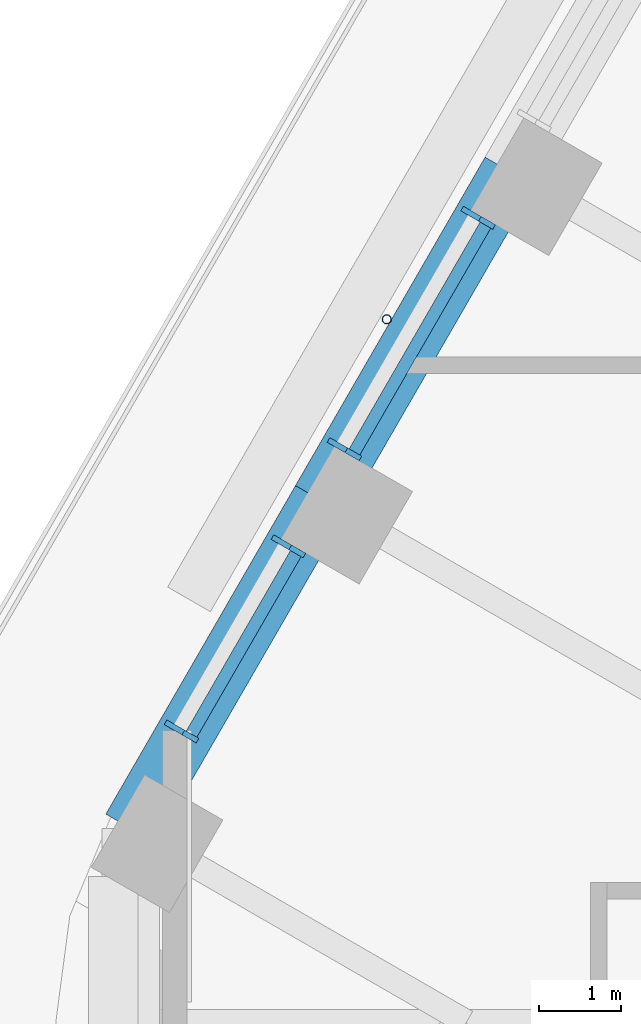
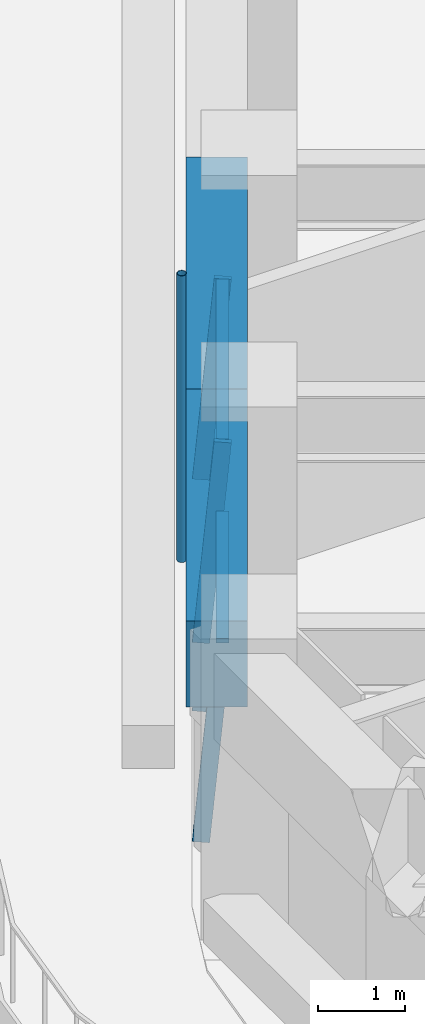
# One storey, part 6 of 20: 7 members, 2 beams, 2 elements without a shape of their own.
"""IFC4 building model written with IfcOpenShell, lengths in metres."""

from ifc_helpers import new_model, si_unit, direction, frame, origin, origin_2d, place, context, subcontext, project, spatial, rectangle, hollow_circle, extrude, material, material_profile, profile_set, type_object, element, aggregate, save


model = new_model("IFC4")

# Units and contexts
model_context = context("Model", 3, precision=1e-05, world=origin(), true_north=direction((0.0, 1.0)))
body_context = subcontext(model_context, "Body", "Model", "MODEL_VIEW")
ifc_project = project(units=[si_unit("LENGTHUNIT", "METRE"), si_unit("AREAUNIT", "SQUARE_METRE"), si_unit("VOLUMEUNIT", "CUBIC_METRE"), si_unit("PLANEANGLEUNIT", "RADIAN"), si_unit("MASSUNIT", "GRAM", prefix="KILO")], contexts=[model_context])

# Site, building, storey
site_placement = place(None, origin())
site = spatial("IfcSite", under=ifc_project, at=site_placement, CompositionType="ELEMENT")
building_placement = place(site_placement, origin())
building = spatial("IfcBuilding", under=site, at=building_placement, Name="Tarfa Lantern Tower", CompositionType="ELEMENT")
storey_placement = place(building_placement, frame((0.0, 0.0, 244.89990234375)))
storey = spatial("IfcBuildingStorey", under=building, at=storey_placement, Name="L55", CompositionType="ELEMENT", Elevation=244.89990234375)

# Curtain wall, members
ifc_material_1 = material(Name="Aluminium framed curtain wall", Category="aluminium")
curtain_wall_type = type_object("IfcCurtainWallType", Name="CW3 CANTED GLAZING HIGH ZONE 2800", PredefinedType="USERDEFINED", material=ifc_material_1)
curtain_wall_1_placement = place(storey_placement, origin())
curtain_wall_1 = element("IfcCurtainWall", 1, at=curtain_wall_1_placement, inside=storey, type_object=curtain_wall_type, Name="CW3 NW L55", ObjectType="CURTAIN WALL", PredefinedType="USERDEFINED")
ifc_material_2 = material(Name="Aluminium mullion", Category="aluminium")
ifc_material_profile_1 = material_profile(ifc_material_2, rectangle(XDim=0.06494140625, YDim=0.199951171875, at=origin_2d()), Name="AL MULLION 65x200")
ifc_profile_set_1 = profile_set([ifc_material_profile_1], Name="Aluminium mullion")
member_type_1 = type_object("IfcMemberType", Name="CWM1 MULLION 65x200", PredefinedType="MULLION", material=ifc_profile_set_1)
member_1_placement = place(storey_placement, frame((-27.6787109375, 9.85888671875, 0.0), z_axis=(0.077032386753, -0.044465143199, 0.996036576854), x_axis=(0.499919672301, 0.866071776036, 0.0)))
member_1 = element("IfcMember", 2, at=member_1_placement, type_object=member_type_1, Name="CW3 mullion 1", PredefinedType="MULLION", context=body_context, shape_type="SweptSolid", body=[
    extrude(rectangle(XDim=0.06494140625, YDim=0.199951171875, at=origin_2d()), origin(), (0.0, 0.0, 1.0), 2.811279296875),
])
member_2_placement = place(storey_placement, frame((-29.3056640625, 7.041015625, 0.0), z_axis=(0.077032386753, -0.044465143199, 0.996036576854), x_axis=(0.499919672301, 0.866071776036, 0.0)))
member_2 = element("IfcMember", 3, at=member_2_placement, type_object=member_type_1, Name="CW3 mullion 2", PredefinedType="MULLION", context=body_context, shape_type="SweptSolid", body=[
    extrude(rectangle(XDim=0.06494140625, YDim=0.199951171875, at=origin_2d()), origin(), (0.0, 0.0, 1.0), 2.811279296875),
])

curtain_wall_2_placement = place(storey_placement, origin())
curtain_wall_2 = element("IfcCurtainWall", 4, at=curtain_wall_2_placement, inside=storey, type_object=curtain_wall_type, Name="CW3 NW L55", ObjectType="CURTAIN WALL", PredefinedType="USERDEFINED")
member_3_placement = place(storey_placement, frame((-29.98828125, 5.85888671875, 0.0), z_axis=(0.077032386753, -0.044465143199, 0.996036576854), x_axis=(0.499919672301, 0.866071776036, 0.0)))
member_3 = element("IfcMember", 5, at=member_3_placement, type_object=member_type_1, Name="CW3 mullion 1", PredefinedType="MULLION", context=body_context, shape_type="SweptSolid", body=[
    extrude(rectangle(XDim=0.06494140625, YDim=0.199951171875, at=origin_2d()), origin(), (0.0, 0.0, 1.0), 2.811279296875),
])
member_4_placement = place(storey_placement, frame((-31.2900390625, 3.60400390625, 0.0), z_axis=(0.077032386753, -0.044465143199, 0.996036576854), x_axis=(0.499919672301, 0.866071776036, 0.0)))
member_4 = element("IfcMember", 6, at=member_4_placement, type_object=member_type_1, Name="CW3 mullion 2", PredefinedType="MULLION", context=body_context, shape_type="SweptSolid", body=[
    extrude(rectangle(XDim=0.06494140625, YDim=0.199951171875, at=origin_2d()), origin(), (0.0, 0.0, 1.0), 2.811279296875),
])

# Member
ifc_material_3 = material(Name="Aluminium transom", Category="aluminium")
ifc_material_profile_2 = material_profile(ifc_material_3, rectangle(XDim=0.14990234375, YDim=0.06494140625, at=origin_2d()), Name="AL TRANSOM 150x65")
ifc_profile_set_2 = profile_set([ifc_material_profile_2], Name="Aluminium transom")
member_type_2 = type_object("IfcMemberType", Name="CWT1 TRANSOM 150x65", PredefinedType="USERDEFINED", material=ifc_profile_set_2)
member_5_placement = place(storey_placement, frame((-27.48095703125, 9.707275390625, 2.767578125), z_axis=(-0.500000789788, -0.8660249478, 0.0), x_axis=(0.8660249478, -0.500000789788, 0.0)))
member_5 = element("IfcMember", 7, at=member_5_placement, type_object=member_type_2, Name="CW3 transom 1.2", ObjectType="TRANSOM", PredefinedType="USERDEFINED", context=body_context, shape_type="SweptSolid", body=[
    extrude(rectangle(XDim=0.14990234375, YDim=0.06494140625, at=origin_2d()), origin(), (0.0, 0.0, 1.0), 3.18896484375),
])

aggregate(curtain_wall_1, [member_1, member_2, member_5])

member_6_placement = place(storey_placement, frame((-29.79052734375, 5.707275390625, 2.767578125), z_axis=(-0.499955533855, -0.866051074803, 0.0), x_axis=(0.866051074803, -0.499955533855, 0.0)))
member_6 = element("IfcMember", 8, at=member_6_placement, type_object=member_type_2, Name="CW3 transom 1.2", ObjectType="TRANSOM", PredefinedType="USERDEFINED", context=body_context, shape_type="SweptSolid", body=[
    extrude(rectangle(XDim=0.14990234375, YDim=0.06494140625, at=origin_2d()), origin(), (0.0, 0.0, 1.0), 2.538818359375),
])

aggregate(curtain_wall_2, [member_3, member_4, member_6])

# Beams
ifc_material_4 = material(Name="Concrete C80/95", Category="concrete")
ifc_material_profile_3 = material_profile(ifc_material_4, rectangle(XDim=0.699951171875, YDim=1.199951171875, at=origin_2d()), Name="RC 700x1200")
ifc_profile_set_3 = profile_set([ifc_material_profile_3], Name="Concrete C80/95")
beam_type = type_object("IfcBeamType", Name="EB3 RC 700x1200", PredefinedType="SPANDREL", material=ifc_profile_set_3)
beam_1_placement = place(storey_placement, frame((-27.181640625, 10.360107421875, 3.400146484375), z_axis=(-0.499987836815, -0.866032426089, 0.0), x_axis=(0.866032426089, -0.499987836815, 0.0)))
element("IfcBeam", 9, at=beam_1_placement, inside=storey, type_object=beam_type, Name="Edge beam NW4", PredefinedType="SPANDREL", context=body_context, shape_type="SweptSolid", body=[
    extrude(rectangle(XDim=0.699951171875, YDim=1.199951171875, at=origin_2d()), origin(), (0.0, 0.0, 1.0), 4.61865234375),
])
beam_2_placement = place(storey_placement, frame((-29.490966796875, 6.360107421875, 3.400146484375), z_axis=(-0.500027479704, -0.866009537788, 0.0), x_axis=(0.866009537788, -0.500027479704, 0.0)))
element("IfcBeam", 10, at=beam_2_placement, inside=storey, type_object=beam_type, Name="Edge beam NW5", PredefinedType="SPANDREL", context=body_context, shape_type="SweptSolid", body=[
    extrude(rectangle(XDim=0.699951171875, YDim=1.199951171875, at=origin_2d()), origin(), (0.0, 0.0, 1.0), 4.618896484375),
])

# Member
ifc_material_5 = material(Name="Steel S355", Category="steel")
ifc_material_profile_4 = material_profile(ifc_material_5, hollow_circle(Radius=0.05712890625, WallThickness=0.00634765625, at=origin_2d()), Name="CHS114.3x6.3")
ifc_profile_set_4 = profile_set([ifc_material_profile_4], Name="Steel S355")
member_type_3 = type_object("IfcMemberType", Name="TR1 GREEN WALL TRELLIS CHS114.3x6.3", PredefinedType="USERDEFINED", material=ifc_profile_set_4)
member_7_placement = place(storey_placement, frame((-28.682861328125, 8.56005859375, 0.0), z_axis=(0.0, 0.0, 1.0), x_axis=(1.0, 0.0, 0.0)))
element("IfcMember", 11, at=member_7_placement, inside=storey, type_object=member_type_3, Name="Trellis post NW 2", ObjectType="TRELLIS", PredefinedType="USERDEFINED", context=body_context, shape_type="SweptSolid", body=[
    extrude(hollow_circle(Radius=0.05712890625, WallThickness=0.00634765625, at=origin_2d()), origin(), (0.0, 0.0, 1.0), 4.0),
])

save(model, "model.ifc")
